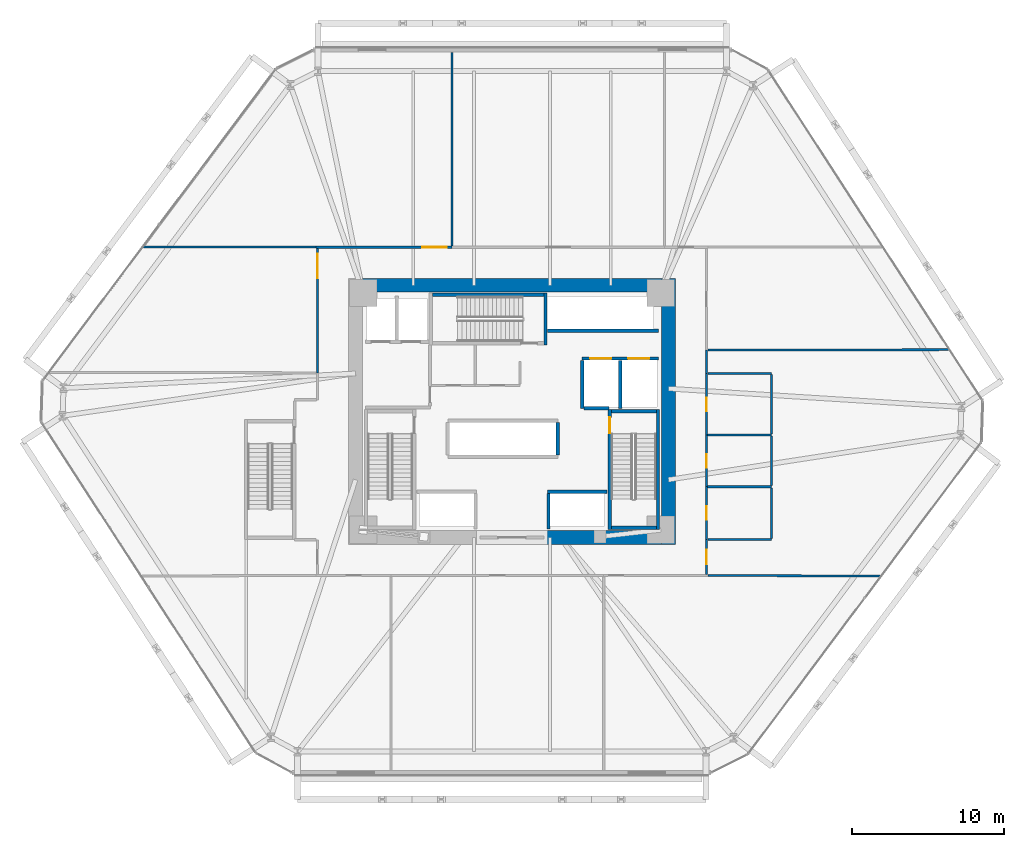
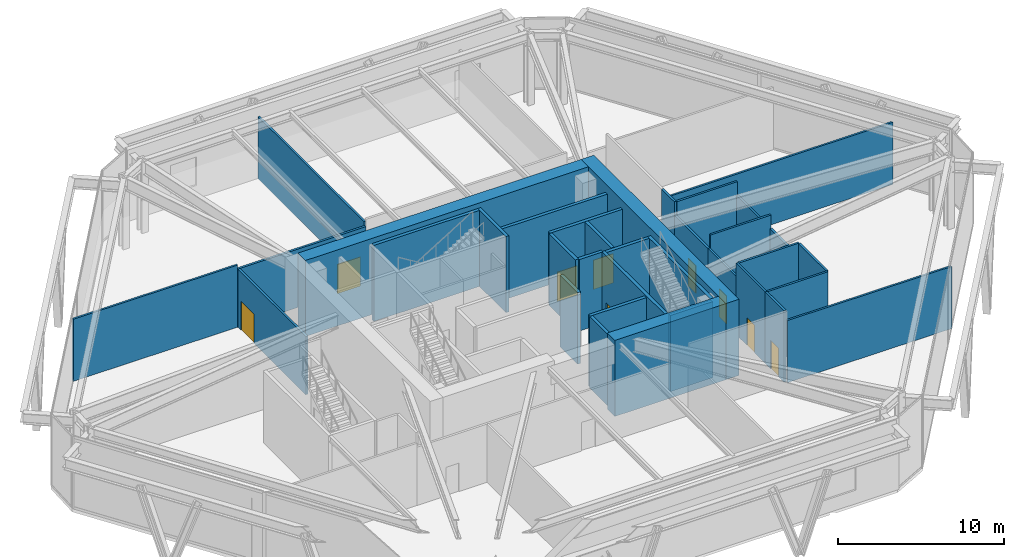
# One storey, part 15 of 19: 35 walls, 9 doors, 9 openings.
"""IFC4 building model written with IfcOpenShell, lengths in metres."""

import ifcopenshell
import ifcopenshell.guid

model = None  # the IFC model being written
_history = None  # IfcOwnerHistory: only IFC2X3 demands one
_inside = {}  # id of a spatial element -> (the spatial element, [elements in it])
_under = {}  # id of a project, library or spatial element -> (it, [spatial elements below it])
_declared = {}  # id of a project -> (the project, [libraries it declares])
_typed = {}  # id of a type object -> (the type object, [elements of that type])
_made_of = {}  # id of a material, layer set ... -> (it, [elements and type objects made of it])


def new_model(schema):
    """Start an empty IFC model of exactly this schema.

    Asked for "IFC4X3", IfcOpenShell would pick the latest addendum, in which some entities
    have other attributes; the version numbers below select the first issue.
    IFC2X3 requires an IfcOwnerHistory on every rooted entity: one is made here for all.
    """
    global model, _history
    if schema == "IFC4X3":
        model = ifcopenshell.file(schema_version=(4, 3, 0, 0))
    else:
        model = ifcopenshell.file(schema=schema)
    _inside.clear()
    _under.clear()
    _declared.clear()
    _typed.clear()
    _made_of.clear()
    _history = None
    if model.schema == "IFC2X3":
        org = make("IfcOrganization", Name="unknown")
        user = make(
            "IfcPersonAndOrganization",
            ThePerson=make("IfcPerson", FamilyName="unknown"),
            TheOrganization=org,
        )
        app = make(
            "IfcApplication",
            ApplicationDeveloper=org,
            Version="unknown",
            ApplicationFullName="unknown",
            ApplicationIdentifier="unknown",
        )
        _history = make(
            "IfcOwnerHistory",
            OwningUser=user,
            OwningApplication=app,
            ChangeAction="ADDED",
            CreationDate=0,
        )
    return model


def make(cls, **values):
    """One entity of the class cls with the attributes given. An attribute that is None is left unset."""
    return model.create_entity(
        cls, **{name: value for name, value in values.items() if value is not None}
    )


def rooted(cls, **values):
    """An entity with a GlobalId (a new one), such as an element, a storey or a relation."""
    return make(cls, GlobalId=ifcopenshell.guid.new(), OwnerHistory=_history, **values)


def si_unit(unit_type, name, prefix=None):
    """IfcSIUnit, for example si_unit("LENGTHUNIT", "METRE", prefix="MILLI")."""
    return make("IfcSIUnit", UnitType=unit_type, Prefix=prefix, Name=name)


def assignment(units):
    """IfcUnitAssignment: the units of a project."""
    return None if units is None else make("IfcUnitAssignment", Units=units)


def point(xyz):
    """IfcCartesianPoint."""
    return None if xyz is None else make("IfcCartesianPoint", Coordinates=xyz)


def direction(xyz):
    """IfcDirection."""
    return None if xyz is None else make("IfcDirection", DirectionRatios=xyz)


def frame(location, z_axis=None, x_axis=None):
    """IfcAxis2Placement3D, a coordinate frame: its origin and axes. An axis left out is left unset."""
    return make(
        "IfcAxis2Placement3D",
        Location=point(location),
        Axis=direction(z_axis),
        RefDirection=direction(x_axis),
    )


def frame_2d(location, x_axis=None):
    """IfcAxis2Placement2D, a coordinate frame in the plane: its origin and x axis."""
    return make(
        "IfcAxis2Placement2D", Location=point(location), RefDirection=direction(x_axis)
    )


def origin():
    """The frame at (0, 0, 0) with its axes left unset."""
    return frame((0.0, 0.0, 0.0))


def place(relative_to, where):
    """IfcLocalPlacement: puts the frame where relative to a parent placement (None: the world)."""
    return make(
        "IfcLocalPlacement", PlacementRelTo=relative_to, RelativePlacement=where
    )


def context(
    kind, dimensions, precision=None, world=None, true_north=None, identifier=None
):
    """IfcGeometricRepresentationContext, for example the 3D "Model" context."""
    return make(
        "IfcGeometricRepresentationContext",
        ContextIdentifier=identifier,
        ContextType=kind,
        CoordinateSpaceDimension=dimensions,
        Precision=precision,
        WorldCoordinateSystem=world,
        TrueNorth=true_north,
    )


def subcontext(parent, identifier, kind, view, scale=None):
    """IfcGeometricRepresentationSubContext, for example "Body" below "Model"."""
    return make(
        "IfcGeometricRepresentationSubContext",
        ContextIdentifier=identifier,
        ContextType=kind,
        ParentContext=parent,
        TargetScale=scale,
        TargetView=view,
    )


def project(units=None, contexts=None):
    """IfcProject with its units and contexts."""
    return rooted(
        "IfcProject",
        Name="project",
        RepresentationContexts=contexts,
        UnitsInContext=assignment(units),
    )


def spatial(cls, under=None, at=None, **own):
    """A site, building, storey or space (cls), placed at a placement, below another one or the project."""
    s = rooted(cls, ObjectPlacement=at, **own)
    if under is not None:
        _under.setdefault(under.id(), (under, []))[1].append(s)
    return s


def profile(cls, at=None, kind="AREA", **sizes):
    """A parametric profile (cls). Its sizes go by their IFC names, for example OverallWidth=200.0."""
    return make(cls, ProfileType=kind, Position=at, **sizes)


def rectangle(**sizes):
    """IfcRectangleProfileDef."""
    return profile("IfcRectangleProfileDef", **sizes)


def extrude(swept, where, along, depth):
    """IfcExtrudedAreaSolid: the profile swept, set in the frame where, extruded along a direction by depth."""
    return make(
        "IfcExtrudedAreaSolid",
        SweptArea=swept,
        Position=where,
        ExtrudedDirection=direction(along),
        Depth=depth,
    )


def shape(context_of_items, identifier, shape_type, items):
    """IfcShapeRepresentation: the items that make up one representation, for example the "Body"."""
    return make(
        "IfcShapeRepresentation",
        ContextOfItems=context_of_items,
        RepresentationIdentifier=identifier,
        RepresentationType=shape_type,
        Items=items,
    )


def source(mapping_origin, context_of_items, identifier, shape_type, items):
    """IfcRepresentationMap: a shape defined once, which mapped items show again and again."""
    return make(
        "IfcRepresentationMap",
        MappingOrigin=mapping_origin,
        MappedRepresentation=shape(context_of_items, identifier, shape_type, items),
    )


def transform(
    local_origin,
    x_axis=None,
    y_axis=None,
    z_axis=None,
    scale=None,
    scale2=None,
    scale3=None,
    uniform=True,
):
    """IfcCartesianTransformationOperator3D, or its non-uniform kind. x_axis, y_axis, z_axis: its Axis1, 2, 3."""
    if uniform:
        return make(
            "IfcCartesianTransformationOperator3D",
            Axis1=direction(x_axis),
            Axis2=direction(y_axis),
            LocalOrigin=point(local_origin),
            Scale=scale,
            Axis3=direction(z_axis),
        )
    return make(
        "IfcCartesianTransformationOperator3DnonUniform",
        Axis1=direction(x_axis),
        Axis2=direction(y_axis),
        LocalOrigin=point(local_origin),
        Scale=scale,
        Axis3=direction(z_axis),
        Scale2=scale2,
        Scale3=scale3,
    )


def mapped(mapping_source, mapping_target):
    """IfcMappedItem: shows the shape of a source again, moved by a transform."""
    return make(
        "IfcMappedItem", MappingSource=mapping_source, MappingTarget=mapping_target
    )


def material(Name=None, Category=None):
    """IfcMaterial."""
    return make("IfcMaterial", Name=Name, Category=Category)


def layer(
    of_material, thickness, ventilated=None, Name=None, Category=None, Priority=None
):
    """IfcMaterialLayer: one layer of a wall or slab, of a material (None: an air gap)."""
    return make(
        "IfcMaterialLayer",
        Material=of_material,
        LayerThickness=thickness,
        IsVentilated=ventilated,
        Name=Name,
        Category=Category,
        Priority=Priority,
    )


def layer_set(layers, Name=None):
    """IfcMaterialLayerSet."""
    return make("IfcMaterialLayerSet", MaterialLayers=layers, LayerSetName=Name)


def made_of(thing, what):
    """Note that an element or type object is made of a material, layer set ...; save() writes the relation."""
    if what is not None:
        _made_of.setdefault(what.id(), (what, []))[1].append(thing)
    return thing


def type_object(cls, material=None, **own):
    """A type object (cls), such as IfcWallType, which elements share."""
    return made_of(rooted(cls, **own), material)


def type_shapes(of_type, sources):
    """Give a type object the sources (RepresentationMaps) that its elements show as mapped items."""
    of_type.RepresentationMaps = sources


def element(
    cls,
    number,
    at=None,
    inside=None,
    cuts=None,
    type_object=None,
    material=None,
    context=None,
    identifier="Body",
    shape_type=None,
    held_by="IfcProductDefinitionShape",
    body=None,
    shapes=None,
    **own,
):
    """One element of the class cls, such as IfcWall. Its Tag is "e" and its number.

    at: its placement. inside: the storey or other place that contains it. cuts: it is an
    opening in that element (IfcRelVoidsElement). A single representation is given by context,
    identifier, shape_type and body (its items); several are given by shapes. held_by: the class
    of the entity that holds the representations. save() writes the other relations.
    """
    e = rooted(cls, Tag="e%d" % number, ObjectPlacement=at, **own)
    if body is not None:
        shapes = [shape(context, identifier, shape_type, body)]
    if shapes is not None:
        e.Representation = make(held_by, Representations=shapes)
    if inside is not None:
        _inside.setdefault(inside.id(), (inside, []))[1].append(e)
    if cuts is not None:
        rooted(
            "IfcRelVoidsElement", RelatingBuildingElement=cuts, RelatedOpeningElement=e
        )
    if type_object is not None:
        _typed.setdefault(type_object.id(), (type_object, []))[1].append(e)
    return made_of(e, material)


def fill(opening, filler):
    """IfcRelFillsElement: the door or window that sits in an opening."""
    return rooted(
        "IfcRelFillsElement",
        RelatingOpeningElement=opening,
        RelatedBuildingElement=filler,
    )


def aggregate(whole, parts):
    """IfcRelAggregates: a whole, such as a stair, and the parts it consists of."""
    return rooted("IfcRelAggregates", RelatingObject=whole, RelatedObjects=parts)


def save(model, path):
    """Write the relations noted so far, then the file.

    IfcRelAggregates (storeys below a building ...), IfcRelContainedInSpatialStructure (elements
    in a storey), IfcRelDefinesByType, IfcRelAssociatesMaterial and IfcRelDeclares: one each for
    every whole, place, type object, material and project.
    """
    for whole, parts in _under.values():
        aggregate(whole, parts)
    for where, things in _inside.values():
        rooted(
            "IfcRelContainedInSpatialStructure",
            RelatedElements=things,
            RelatingStructure=where,
        )
    for kind, things in _typed.values():
        rooted("IfcRelDefinesByType", RelatedObjects=things, RelatingType=kind)
    for what, things in _made_of.values():
        rooted("IfcRelAssociatesMaterial", RelatedObjects=things, RelatingMaterial=what)
    for by, libraries in _declared.values():
        rooted("IfcRelDeclares", RelatingContext=by, RelatedDefinitions=libraries)
    model.write(path)


model = new_model("IFC4")

# Units and contexts
model_context = context("Model", 3, precision=1e-05, world=origin(), true_north=direction((0.0, 1.0)))
body_context = subcontext(model_context, "Body", "Model", "MODEL_VIEW")
ifc_project = project(units=[si_unit("LENGTHUNIT", "METRE"), si_unit("AREAUNIT", "SQUARE_METRE"), si_unit("VOLUMEUNIT", "CUBIC_METRE"), si_unit("PLANEANGLEUNIT", "RADIAN"), si_unit("MASSUNIT", "GRAM", prefix="KILO")], contexts=[model_context])

# Site, building, storey
site_placement = place(None, origin())
site = spatial("IfcSite", under=ifc_project, at=site_placement, CompositionType="ELEMENT")
building_placement = place(site_placement, origin())
building = spatial("IfcBuilding", under=site, at=building_placement, Name="Durnholm Broadcast Tower", CompositionType="ELEMENT")
storey_placement = place(building_placement, frame((0.0, 0.0, 15.60009765625)))
storey = spatial("IfcBuildingStorey", under=building, at=storey_placement, Name="L03", CompositionType="ELEMENT", Elevation=15.60009765625)

# Walls
ifc_material_1 = material(Name="Concrete C70/85", Category="concrete")
ifc_layer_1 = layer(ifc_material_1, 0.89990234375)
ifc_layer_set_1 = layer_set([ifc_layer_1], Name="Concrete C70/85")
wall_type_1 = type_object("IfcWallType", Name="WALL-CW-900", PredefinedType="SHEAR", material=ifc_layer_set_1)
wall_1_placement = place(storey_placement, frame((10.300048828125, -8.75, 0.0), z_axis=(0.0, 0.0, 1.0), x_axis=(0.0, 1.0, 0.0)))
element("IfcWall", 1, at=wall_1_placement, inside=storey, type_object=wall_type_1, Name="L03 central core shear wall CW-EAST", PredefinedType="SHEAR", context=body_context, shape_type="SweptSolid", body=[
    extrude(rectangle(XDim=17.5, YDim=0.89990234375, at=frame_2d((8.75, 0.0))), origin(), (0.0, 0.0, 1.0), 5.599853515625),
])
wall_2_placement = place(storey_placement, frame((2.10009765625, -8.300048828125, 0.0), z_axis=(0.0, 0.0, 1.0), x_axis=(1.0, 0.0, 0.0)))
element("IfcWall", 2, at=wall_2_placement, inside=storey, type_object=wall_type_1, Name="L03 central core shear wall CW-S2", PredefinedType="SHEAR", context=body_context, shape_type="SweptSolid", body=[
    extrude(rectangle(XDim=7.75, YDim=0.89990234375, at=frame_2d((3.875, 0.0))), origin(), (0.0, 0.0, 1.0), 5.599853515625),
])
wall_3_placement = place(storey_placement, frame((-9.85009765625, 8.300048828125, 0.0), z_axis=(0.0, 0.0, 1.0), x_axis=(1.0, 0.0, 0.0)))
element("IfcWall", 3, at=wall_3_placement, inside=storey, type_object=wall_type_1, Name="L03 central core shear wall CW-N", PredefinedType="SHEAR", context=body_context, shape_type="SweptSolid", body=[
    extrude(rectangle(XDim=19.7001953125, YDim=0.89990234375, at=frame_2d((9.85009765625, 0.0))), origin(), (0.0, 0.0, 1.0), 5.599853515625),
])
ifc_material_2 = material(Name="Gypsum Metal Stud Partition", Category="concrete")
ifc_layer_2 = layer(ifc_material_2, 0.135009765625)
ifc_layer_set_2 = layer_set([ifc_layer_2], Name="Gypsum Metal Stud Partition")
wall_type_2 = type_object("IfcWallType", Name="WALL-PART-135", PredefinedType="PARTITIONING", material=ifc_layer_set_2)
wall_4_placement = place(storey_placement, frame((-3.9599609375, 23.64501953125, 0.0), z_axis=(0.0, 0.0, 1.0), x_axis=(0.0, -1.0, 0.0)))
element("IfcWall", 4, at=wall_4_placement, inside=storey, type_object=wall_type_2, Name="L03 room dividing partition 6.7", PredefinedType="PARTITIONING", context=body_context, shape_type="SweptSolid", body=[
    extrude(rectangle(XDim=12.756103515625, YDim=0.135009765625, at=frame_2d((6.3779296875, 0.0))), origin(), (0.0, 0.0, 1.0), 4.573974609375),
])
for number, where, z_axis, x_axis, name in (
    (5, (-12.889892578125, 10.810302734375, 0.0), (0.0, 0.0, 1.0), (-0.999997852069, 0.002072645121, 0.0), "L03 room dividing partition 6.13"),
    (6, (12.889892578125, -10.810302734375, 0.0), (0.0, 0.0, 1.0), (0.999997852069, -0.002072645121, 0.0), "L03 room dividing partition 11.14"),
):
    element("IfcWall", number, at=place(storey_placement, frame(where, z_axis=z_axis, x_axis=x_axis)), inside=storey, type_object=wall_type_2, Name=name, PredefinedType="PARTITIONING", context=body_context, shape_type="SweptSolid", body=[
        extrude(rectangle(XDim=11.42578125, YDim=0.135009765625, at=frame_2d((5.712890625, 0.0))), origin(), (0.0, 0.0, 1.0), 4.573974609375),
    ])
wall_5_placement = place(storey_placement, frame((12.888916015625, 4.0400390625, 0.0), z_axis=(0.0, 0.0, 1.0), x_axis=(0.999999068975, 0.001364568967, 0.0)))
element("IfcWall", 7, at=wall_5_placement, inside=storey, type_object=wall_type_2, Name="L03 room dividing partition 14.15", PredefinedType="PARTITIONING", context=body_context, shape_type="SweptSolid", body=[
    extrude(rectangle(XDim=15.92333984375, YDim=0.135009765625, at=frame_2d((7.961669921875, 0.0))), origin(), (0.0, 0.0, 1.0), 4.573974609375),
])

# Wall, opening, door
ifc_material_3 = material(Name="Acoustic Gypsum Stud Partition", Category="concrete")
ifc_layer_3 = layer(ifc_material_3, 0.14990234375)
ifc_layer_set_3 = layer_set([ifc_layer_3], Name="Acoustic Gypsum Stud Partition")
wall_type_3 = type_object("IfcWallType", Name="WALL-PART-150", PredefinedType="PARTITIONING", material=ifc_layer_set_3)
wall_6_placement = place(storey_placement, frame((-3.9599609375, 10.81005859375, 0.0), z_axis=(0.0, 0.0, 1.0), x_axis=(-1.0, 0.0, 0.0)))
wall_6 = element("IfcWall", 8, at=wall_6_placement, inside=storey, type_object=wall_type_3, Name="L03 Television Production Hall 3A corridor partition", PredefinedType="PARTITIONING", context=body_context, shape_type="SweptSolid", body=[
    extrude(rectangle(XDim=8.929931640625, YDim=0.14990234375, at=frame_2d((4.46484375, 0.0))), origin(), (0.0, 0.0, 1.0), 4.284423828125),
])
opening_1_placement = place(wall_6_placement, frame((0.35009765625, 0.0, 0.0)))
opening_1 = element("IfcOpeningElement", 9, at=opening_1_placement, cuts=wall_6, Name="Opening DST-160", PredefinedType="OPENING", context=body_context, shape_type="SweptSolid", body=[
    extrude(rectangle(XDim=1.60009765625, YDim=2.14990234375, at=frame_2d((0.800048828125, 1.074951171875))), frame((0.0, 0.0849609375, 0.0), z_axis=(0.0, -1.0, 0.0), x_axis=(1.0, 0.0, 0.0)), (0.0, 0.0, 1.0), 0.169921875),
])
ifc_material_4 = material(Name="Acoustic Broadcast Studio Sound-Lock Door", Category="steel")
ifc_layer_4 = layer(ifc_material_4, 0.050048828125)
ifc_layer_set_4 = layer_set([ifc_layer_4], Name="Acoustic Broadcast Studio Sound-Lock Door")
door_type_1 = type_object("IfcDoorType", Name="DOOR-STU-1600", OperationType="DOUBLE_DOOR_SINGLE_SWING", PredefinedType="DOOR", material=ifc_layer_set_4)
shared_shape_1 = source(origin(), body_context, "Body", "SweptSolid", [
    extrude(rectangle(XDim=1.60009765625, YDim=2.14990234375, at=frame_2d((0.800048828125, 1.074951171875))), frame((0.0, 0.02490234375, 0.0), z_axis=(0.0, -1.0, 0.0), x_axis=(1.0, 0.0, 0.0)), (0.0, 0.0, 1.0), 0.050048828125),
])
type_shapes(door_type_1, [shared_shape_1])
door_1_placement = place(opening_1_placement, origin())
door_1 = element("IfcDoor", 10, at=door_1_placement, inside=storey, type_object=door_type_1, Name="L03 Television Production Hall 3A entrance door", OperationType="DOUBLE_DOOR_SINGLE_SWING", OverallHeight=2.14990234375, OverallWidth=1.60009765625, PredefinedType="DOOR", context=body_context, shape_type="MappedRepresentation", body=[
    mapped(shared_shape_1, transform((0.0, 0.0, 0.0), x_axis=(1.0, 0.0, 0.0), y_axis=(0.0, 1.0, 0.0), z_axis=(0.0, 0.0, 1.0), scale=1.0)),
])
fill(opening_1, door_1)

wall_7_placement = place(storey_placement, frame((-12.81005859375, 10.73095703125, 0.0), z_axis=(0.0, 0.0, 1.0), x_axis=(0.0, -1.0, 0.0)))
wall_7 = element("IfcWall", 11, at=wall_7_placement, inside=storey, type_object=wall_type_3, Name="L03 Television Production Hall 3A corridor partition", PredefinedType="PARTITIONING", context=body_context, shape_type="SweptSolid", body=[
    extrude(rectangle(XDim=8.19091796875, YDim=0.14990234375, at=frame_2d((4.095458984375, 0.0))), origin(), (0.0, 0.0, 1.0), 4.284423828125),
])
opening_2_placement = place(wall_7_placement, frame((0.35009765625, 0.0, 0.0)))
opening_2 = element("IfcOpeningElement", 12, at=opening_2_placement, cuts=wall_7, Name="Opening DST-160", PredefinedType="OPENING", context=body_context, shape_type="SweptSolid", body=[
    extrude(rectangle(XDim=1.60009765625, YDim=2.14990234375, at=frame_2d((0.800048828125, 1.074951171875))), frame((0.0, 0.0849609375, 0.0), z_axis=(0.0, -1.0, 0.0), x_axis=(1.0, 0.0, 0.0)), (0.0, 0.0, 1.0), 0.169921875),
])
door_2_placement = place(opening_2_placement, origin())
door_2 = element("IfcDoor", 13, at=door_2_placement, inside=storey, type_object=door_type_1, Name="L03 Television Production Hall 3A entrance door", OperationType="DOUBLE_DOOR_SINGLE_SWING", OverallHeight=2.14990234375, OverallWidth=1.60009765625, PredefinedType="DOOR", context=body_context, shape_type="MappedRepresentation", body=[
    mapped(shared_shape_1, transform((0.0, 0.0, 0.0), x_axis=(1.0, 0.0, 0.0), y_axis=(0.0, 1.0, 0.0), z_axis=(0.0, 0.0, 1.0), scale=1.0)),
])
fill(opening_2, door_2)

wall_8_placement = place(storey_placement, frame((12.81005859375, -10.73095703125, 0.0), z_axis=(0.0, 0.0, 1.0), x_axis=(0.0, 1.0, 0.0)))
wall_8 = element("IfcWall", 14, at=wall_8_placement, inside=storey, type_object=wall_type_3, Name="L03 Broadcast Audience Auditorium 3B corridor partition", PredefinedType="PARTITIONING", context=body_context, shape_type="SweptSolid", body=[
    extrude(rectangle(XDim=2.291015625, YDim=0.14990234375, at=frame_2d((1.1455078125, 0.0))), origin(), (0.0, 0.0, 1.0), 5.264892578125),
])
opening_3_placement = place(wall_8_placement, frame((0.67041015625, 0.0, 0.0)))
opening_3 = element("IfcOpeningElement", 15, at=opening_3_placement, cuts=wall_8, Name="Opening DR-95L", PredefinedType="OPENING", context=body_context, shape_type="SweptSolid", body=[
    extrude(rectangle(XDim=0.949951171875, YDim=2.10009765625, at=frame_2d((0.47509765625, 1.050048828125))), frame((0.0, 0.0849609375, 0.0), z_axis=(0.0, -1.0, 0.0), x_axis=(1.0, 0.0, 0.0)), (0.0, 0.0, 1.0), 0.169921875),
])
ifc_material_5 = material(Name="Acoustic Oak Veneer Timber Door", Category="wood")
ifc_layer_5 = layer(ifc_material_5, 0.050048828125)
ifc_layer_set_5 = layer_set([ifc_layer_5], Name="Acoustic Oak Veneer Timber Door")
door_type_2 = type_object("IfcDoorType", Name="DOOR-RM-950L", OperationType="NOTDEFINED", PredefinedType="DOOR", material=ifc_layer_set_5)
shared_shape_2 = source(origin(), body_context, "Body", "SweptSolid", [
    extrude(rectangle(XDim=0.949951171875, YDim=2.10009765625, at=frame_2d((0.47509765625, 1.050048828125))), frame((0.0, 0.02490234375, 0.0), z_axis=(0.0, -1.0, 0.0), x_axis=(1.0, 0.0, 0.0)), (0.0, 0.0, 1.0), 0.050048828125),
])
type_shapes(door_type_2, [shared_shape_2])
door_3_placement = place(opening_3_placement, origin())
door_3 = element("IfcDoor", 16, at=door_3_placement, inside=storey, type_object=door_type_2, Name="L03 Broadcast Audience Auditorium 3B entrance door", OperationType="SINGLE_SWING_LEFT", OverallHeight=2.10009765625, OverallWidth=0.949951171875, PredefinedType="DOOR", context=body_context, shape_type="MappedRepresentation", body=[
    mapped(shared_shape_2, transform((0.0, 0.0, 0.0), x_axis=(1.0, 0.0, 0.0), y_axis=(0.0, 1.0, 0.0), z_axis=(0.0, 0.0, 1.0), scale=1.0)),
])
fill(opening_3, door_3)

# Wall
wall_9_placement = place(storey_placement, frame((12.81005859375, 2.489990234375, 0.0), z_axis=(0.0, 0.0, 1.0), x_axis=(0.0, 1.0, 0.0)))
element("IfcWall", 17, at=wall_9_placement, inside=storey, type_object=wall_type_3, Name="L03 Broadcast Audience Auditorium 3B corridor partition", PredefinedType="PARTITIONING", context=body_context, shape_type="SweptSolid", body=[
    extrude(rectangle(XDim=1.550048828125, YDim=0.14990234375, at=frame_2d((0.77490234375, 0.0))), origin(), (0.0, 0.0, 1.0), 5.264892578125),
])

# Wall, openings, doors
ifc_material_6 = material(Name="Concrete Blockwork C30/37", Category="masonry")
ifc_layer_6 = layer(ifc_material_6, 0.219970703125)
ifc_layer_set_6 = layer_set([ifc_layer_6], Name="Concrete Blockwork C30/37")
wall_type_4 = type_object("IfcWallType", Name="WALL-SHAFT-220", PredefinedType="SOLIDWALL", material=ifc_layer_set_6)
wall_10_placement = place(storey_placement, frame((4.60009765625, 3.47998046875, 0.0), z_axis=(0.0, 0.0, 1.0), x_axis=(1.0, 0.0, 0.0)))
wall_10 = element("IfcWall", 18, at=wall_10_placement, inside=storey, type_object=wall_type_4, Name="L03 freight service lifts north front wall", PredefinedType="SOLIDWALL", context=body_context, shape_type="SweptSolid", body=[
    extrude(rectangle(XDim=5.0498046875, YDim=0.219970703125, at=frame_2d((2.52490234375, 0.0))), origin(), (0.0, 0.0, 1.0), 5.264892578125),
])
opening_4_placement = place(wall_10_placement, frame((0.550048828125, 0.0, 0.0)))
opening_4 = element("IfcOpeningElement", 19, at=opening_4_placement, cuts=wall_10, Name="Opening LD-SVL-2", PredefinedType="OPENING", context=body_context, shape_type="SweptSolid", body=[
    extrude(rectangle(XDim=1.39990234375, YDim=2.14990234375, at=frame_2d((0.699951171875, 1.074951171875))), frame((0.0, 0.1201171875, 0.0), z_axis=(0.0, -1.0, 0.0), x_axis=(1.0, 0.0, 0.0)), (0.0, 0.0, 1.0), 0.239990234375),
])
opening_5_placement = place(wall_10_placement, frame((3.050048828125, 0.0, 0.0)))
opening_5 = element("IfcOpeningElement", 20, at=opening_5_placement, cuts=wall_10, Name="Opening LD-SVL-1", PredefinedType="OPENING", context=body_context, shape_type="SweptSolid", body=[
    extrude(rectangle(XDim=1.39990234375, YDim=2.14990234375, at=frame_2d((0.699951171875, 1.074951171875))), frame((0.0, 0.1201171875, 0.0), z_axis=(0.0, -1.0, 0.0), x_axis=(1.0, 0.0, 0.0)), (0.0, 0.0, 1.0), 0.239990234375),
])
ifc_material_7 = material(Name="Freight Elevator Bi-Parting Sliding Landing Door", Category="steel")
ifc_layer_7 = layer(ifc_material_7, 0.050048828125)
ifc_layer_set_7 = layer_set([ifc_layer_7], Name="Freight Elevator Bi-Parting Sliding Landing Door")
door_type_3 = type_object("IfcDoorType", Name="DOOR-LIFT-SVL", OperationType="DOUBLE_DOOR_SLIDING", PredefinedType="DOOR", material=ifc_layer_set_7)
shared_shape_3 = source(origin(), body_context, "Body", "SweptSolid", [
    extrude(rectangle(XDim=1.39990234375, YDim=2.14990234375, at=frame_2d((0.699951171875, 1.074951171875))), frame((0.0, 0.02490234375, 0.0), z_axis=(0.0, -1.0, 0.0), x_axis=(1.0, 0.0, 0.0)), (0.0, 0.0, 1.0), 0.050048828125),
])
type_shapes(door_type_3, [shared_shape_3])
door_4_placement = place(opening_4_placement, origin())
door_4 = element("IfcDoor", 21, at=door_4_placement, inside=storey, type_object=door_type_3, Name="L03 freight service elevator SVL-2 sliding landing door", OperationType="DOUBLE_DOOR_SLIDING", OverallHeight=2.14990234375, OverallWidth=1.39990234375, PredefinedType="DOOR", context=body_context, shape_type="MappedRepresentation", body=[
    mapped(shared_shape_3, transform((0.0, 0.0, 0.0), x_axis=(1.0, 0.0, 0.0), y_axis=(0.0, 1.0, 0.0), z_axis=(0.0, 0.0, 1.0), scale=1.0)),
])
fill(opening_4, door_4)
door_5_placement = place(opening_5_placement, origin())
door_5 = element("IfcDoor", 22, at=door_5_placement, inside=storey, type_object=door_type_3, Name="L03 freight service elevator SVL-1 sliding landing door", OperationType="DOUBLE_DOOR_SLIDING", OverallHeight=2.14990234375, OverallWidth=1.39990234375, PredefinedType="DOOR", context=body_context, shape_type="MappedRepresentation", body=[
    mapped(shared_shape_3, transform((0.0, 0.0, 0.0), x_axis=(1.0, 0.0, 0.0), y_axis=(0.0, 1.0, 0.0), z_axis=(0.0, 0.0, 1.0), scale=1.0)),
])
fill(opening_5, door_5)

# Walls
for number, where, z_axis, x_axis, name in (
    (23, (4.6201171875, 0.179931640625, 0.0), (0.0, 0.0, 1.0), (0.0, 1.0, 0.0), "L03 freight service lift SVL-2 west wall"),
    (24, (7.1201171875, 0.179931640625, 0.0), (0.0, 0.0, 1.0), (0.0, 1.0, 0.0), "L03 freight service lifts divider wall"),
):
    element("IfcWall", number, at=place(storey_placement, frame(where, z_axis=z_axis, x_axis=x_axis)), inside=storey, type_object=wall_type_4, Name=name, PredefinedType="SOLIDWALL", context=body_context, shape_type="SweptSolid", body=[
        extrude(rectangle(XDim=3.18603515625, YDim=0.219970703125, at=frame_2d((1.593017578125, 0.0))), origin(), (0.0, 0.0, 1.0), 5.264892578125),
    ])
wall_11_placement = place(storey_placement, frame((4.73388671875, 0.199951171875, 0.0), z_axis=(0.0, 0.0, 1.0), x_axis=(1.0, 0.0, 0.0)))
element("IfcWall", 25, at=wall_11_placement, inside=storey, type_object=wall_type_4, Name="L03 freight service lift SVL-2 south wall", PredefinedType="SOLIDWALL", context=body_context, shape_type="SweptSolid", body=[
    extrude(rectangle(XDim=1.666015625, YDim=0.219970703125, at=frame_2d((0.8330078125, 0.0))), origin(), (0.0, 0.0, 1.0), 5.264892578125),
])
wall_12_placement = place(storey_placement, frame((2.35009765625, -5.280029296875, 0.0), z_axis=(0.0, 0.0, 1.0), x_axis=(1.0, 0.0, 0.0)))
element("IfcWall", 26, at=wall_12_placement, inside=storey, type_object=wall_type_4, Name="L03 low-rise bank P1 east front wall", PredefinedType="SOLIDWALL", context=body_context, shape_type="SweptSolid", body=[
    extrude(rectangle(XDim=3.89990234375, YDim=0.219970703125, at=frame_2d((1.949951171875, 0.0))), origin(), (0.0, 0.0, 1.0), 5.264892578125),
])
wall_13_placement = place(storey_placement, frame((2.39990234375, -7.75, 0.0), z_axis=(0.0, 0.0, 1.0), x_axis=(0.0, 1.0, 0.0)))
element("IfcWall", 27, at=wall_13_placement, inside=storey, type_object=wall_type_4, Name="L03 low-rise bank P1 east mouth wall", PredefinedType="SOLIDWALL", context=body_context, shape_type="SweptSolid", body=[
    extrude(rectangle(XDim=2.35595703125, YDim=0.219970703125, at=frame_2d((1.177978515625, 0.0))), origin(), (0.0, 0.0, 1.0), 5.264892578125),
])
wall_14_placement = place(storey_placement, frame((3.02001953125, -2.865966796875, 0.0), z_axis=(0.0, 0.0, 1.0), x_axis=(0.0, 1.0, 0.0)))
element("IfcWall", 28, at=wall_14_placement, inside=storey, type_object=wall_type_4, Name="L03 mid-rise bank P2 east shaft wall", PredefinedType="SOLIDWALL", context=body_context, shape_type="SweptSolid", body=[
    extrude(rectangle(XDim=2.132080078125, YDim=0.219970703125, at=frame_2d((1.06591796875, 0.0))), origin(), (0.0, 0.0, 1.0), 5.264892578125),
])
wall_15_placement = place(storey_placement, frame((2.324951171875, 5.320068359375, 0.0), z_axis=(0.0, 0.0, 1.0), x_axis=(1.0, 0.0, 0.0)))
element("IfcWall", 29, at=wall_15_placement, inside=storey, type_object=wall_type_4, Name="L03 high-rise bank P3 south front wall", PredefinedType="SOLIDWALL", context=body_context, shape_type="SweptSolid", body=[
    extrude(rectangle(XDim=7.324951171875, YDim=0.219970703125, at=frame_2d((3.66259765625, 0.0))), origin(), (0.0, 0.0, 1.0), 5.264892578125),
])
ifc_material_8 = material(Name="Concrete C50/60", Category="concrete")
ifc_layer_8 = layer(ifc_material_8, 0.219970703125)
ifc_layer_set_8 = layer_set([ifc_layer_8], Name="Concrete C50/60")
wall_type_5 = type_object("IfcWallType", Name="WALL-SW-220", PredefinedType="SHEAR", material=ifc_layer_set_8)
wall_16_placement = place(storey_placement, frame((9.610107421875, -7.77001953125, -0.320068359375), z_axis=(0.0, 0.0, 1.0), x_axis=(0.0, 1.0, 0.0)))
element("IfcWall", 30, at=wall_16_placement, inside=storey, type_object=wall_type_5, Name="L03 stair ST-2 structural shaft wall E", PredefinedType="SHEAR", context=body_context, shape_type="SweptSolid", body=[
    extrude(rectangle(XDim=7.89013671875, YDim=0.219970703125, at=frame_2d((3.945068359375, 0.0))), origin(), (0.0, 0.0, 1.0), 5.599853515625),
])

# Wall, opening, door
wall_17_placement = place(storey_placement, frame((6.429931640625, 0.1201171875, -0.320068359375), z_axis=(0.0, 0.0, 1.0), x_axis=(0.0, -1.0, 0.0)))
wall_17 = element("IfcWall", 31, at=wall_17_placement, inside=storey, type_object=wall_type_5, Name="L03 stair ST-2 structural shaft wall W", PredefinedType="SHEAR", context=body_context, shape_type="SweptSolid", body=[
    extrude(rectangle(XDim=7.89013671875, YDim=0.219970703125, at=frame_2d((3.945068359375, 0.0))), origin(), (0.0, 0.0, 1.0), 5.599853515625),
])
opening_6_placement = place(wall_17_placement, frame((0.52001953125, 0.0, 0.0)))
opening_6 = element("IfcOpeningElement", 32, at=opening_6_placement, cuts=wall_17, Name="Opening DS-90R", PredefinedType="OPENING", context=body_context, shape_type="SweptSolid", body=[
    extrude(rectangle(XDim=1.050048828125, YDim=2.14990234375, at=frame_2d((0.52490234375, 1.074951171875))), frame((0.0, 0.1201171875, 0.0), z_axis=(0.0, -1.0, 0.0), x_axis=(1.0, 0.0, 0.0)), (0.0, 0.0, 1.0), 0.239990234375),
])
ifc_material_9 = material(Name="Fire-Rated Steel Door", Category="steel")
ifc_layer_9 = layer(ifc_material_9, 0.050048828125)
ifc_layer_set_9 = layer_set([ifc_layer_9], Name="Fire-Rated Steel Door")
door_type_4 = type_object("IfcDoorType", Name="DOOR-ST-FD90-R", OperationType="NOTDEFINED", PredefinedType="DOOR", material=ifc_layer_set_9)
shared_shape_4 = source(origin(), body_context, "Body", "SweptSolid", [
    extrude(rectangle(XDim=1.050048828125, YDim=2.14990234375, at=frame_2d((0.52490234375, 1.074951171875))), frame((0.0, 0.02490234375, 0.0), z_axis=(0.0, -1.0, 0.0), x_axis=(1.0, 0.0, 0.0)), (0.0, 0.0, 1.0), 0.050048828125),
])
type_shapes(door_type_4, [shared_shape_4])
door_6_placement = place(opening_6_placement, origin())
door_6 = element("IfcDoor", 33, at=door_6_placement, inside=storey, type_object=door_type_4, Name="L03 exit stair ST-2 fire door", OperationType="SINGLE_SWING_RIGHT", OverallHeight=2.14990234375, OverallWidth=1.050048828125, PredefinedType="DOOR", context=body_context, shape_type="MappedRepresentation", body=[
    mapped(shared_shape_4, transform((0.0, 0.0, 0.0), x_axis=(1.0, 0.0, 0.0), y_axis=(0.0, 1.0, 0.0), z_axis=(0.0, 0.0, 1.0), scale=1.0)),
])
fill(opening_6, door_6)

# Walls
for number, where, z_axis, x_axis, name in (
    (34, (6.5400390625, -7.659912109375, -0.320068359375), (0.0, 0.0, 1.0), (1.0, 0.0, 0.0), "L03 stair ST-2 structural shaft wall S"),
    (35, (9.5, 0.010009765625, -0.320068359375), (0.0, 0.0, 1.0), (-1.0, 0.0, 0.0), "L03 stair ST-2 structural shaft wall N"),
):
    element("IfcWall", number, at=place(storey_placement, frame(where, z_axis=z_axis, x_axis=x_axis)), inside=storey, type_object=wall_type_5, Name=name, PredefinedType="SHEAR", context=body_context, shape_type="SweptSolid", body=[
        extrude(rectangle(XDim=2.9599609375, YDim=0.219970703125, at=frame_2d((1.47998046875, 0.0))), origin(), (0.0, 0.0, 1.0), 5.599853515625),
    ])
wall_18_placement = place(storey_placement, frame((2.2099609375, 4.3798828125, -0.320068359375), z_axis=(0.0, 0.0, 1.0), x_axis=(0.0, 1.0, 0.0)))
element("IfcWall", 36, at=wall_18_placement, inside=storey, type_object=wall_type_5, Name="L03 stair ST-3 structural shaft wall E", PredefinedType="SHEAR", context=body_context, shape_type="SweptSolid", body=[
    extrude(rectangle(XDim=3.400146484375, YDim=0.219970703125, at=frame_2d((1.7001953125, 0.0))), origin(), (0.0, 0.0, 1.0), 5.599853515625),
])
wall_19_placement = place(storey_placement, frame((2.10009765625, 7.669921875, -0.320068359375), z_axis=(0.0, 0.0, 1.0), x_axis=(-1.0, 0.0, 0.0)))
element("IfcWall", 37, at=wall_19_placement, inside=storey, type_object=wall_type_5, Name="L03 stair ST-3 structural shaft wall N", PredefinedType="SHEAR", context=body_context, shape_type="SweptSolid", body=[
    extrude(rectangle(XDim=7.35009765625, YDim=0.219970703125, at=frame_2d((3.675048828125, 0.0))), origin(), (0.0, 0.0, 1.0), 5.599853515625),
])

# Wall, opening, door
ifc_material_10 = material(Name="Moisture-Resistant Tile Partition", Category="concrete")
ifc_layer_10 = layer(ifc_material_10, 0.139892578125)
ifc_layer_set_10 = layer_set([ifc_layer_10], Name="Moisture-Resistant Tile Partition")
wall_type_6 = type_object("IfcWallType", Name="WALL-WC-140", PredefinedType="PARTITIONING", material=ifc_layer_set_10)
wall_20_placement = place(storey_placement, frame((12.81005859375, -8.43994140625, 0.0), z_axis=(0.0, 0.0, 1.0), x_axis=(0.0, 1.0, 0.0)))
wall_20 = element("IfcWall", 38, at=wall_20_placement, inside=storey, type_object=wall_type_6, Name="L03 Men's Restroom corridor partition", PredefinedType="PARTITIONING", context=body_context, shape_type="SweptSolid", body=[
    extrude(rectangle(XDim=3.47998046875, YDim=0.139892578125, at=frame_2d((1.739990234375, 0.0))), origin(), (0.0, 0.0, 1.0), 5.264892578125),
])
opening_7_placement = place(wall_20_placement, frame((1.2900390625, 0.0, 0.0)))
opening_7 = element("IfcOpeningElement", 39, at=opening_7_placement, cuts=wall_20, Name="Opening DW-90R", PredefinedType="OPENING", context=body_context, shape_type="SweptSolid", body=[
    extrude(rectangle(XDim=0.89990234375, YDim=2.050048828125, at=frame_2d((0.449951171875, 1.02490234375))), frame((0.0, 0.080078125, 0.0), z_axis=(0.0, -1.0, 0.0), x_axis=(1.0, 0.0, 0.0)), (0.0, 0.0, 1.0), 0.159912109375),
])
ifc_material_11 = material(Name="Laminate Restroom Door", Category="steel")
ifc_layer_11 = layer(ifc_material_11, 0.050048828125)
ifc_layer_set_11 = layer_set([ifc_layer_11], Name="Laminate Restroom Door")
door_type_5 = type_object("IfcDoorType", Name="DOOR-WC-900R", OperationType="NOTDEFINED", PredefinedType="DOOR", material=ifc_layer_set_11)
shared_shape_5 = source(origin(), body_context, "Body", "SweptSolid", [
    extrude(rectangle(XDim=0.89990234375, YDim=2.050048828125, at=frame_2d((0.449951171875, 1.02490234375))), frame((0.0, 0.02490234375, 0.0), z_axis=(0.0, -1.0, 0.0), x_axis=(1.0, 0.0, 0.0)), (0.0, 0.0, 1.0), 0.050048828125),
])
type_shapes(door_type_5, [shared_shape_5])
door_7_placement = place(opening_7_placement, origin())
door_7 = element("IfcDoor", 40, at=door_7_placement, inside=storey, type_object=door_type_5, Name="L03 Men's Restroom entrance door", OperationType="SINGLE_SWING_RIGHT", OverallHeight=2.050048828125, OverallWidth=0.89990234375, PredefinedType="DOOR", context=body_context, shape_type="MappedRepresentation", body=[
    mapped(shared_shape_5, transform((0.0, 0.0, 0.0), x_axis=(1.0, 0.0, 0.0), y_axis=(0.0, 1.0, 0.0), z_axis=(0.0, 0.0, 1.0), scale=1.0)),
])
fill(opening_7, door_7)

wall_21_placement = place(storey_placement, frame((12.81005859375, -4.9599609375, 0.0), z_axis=(0.0, 0.0, 1.0), x_axis=(0.0, 1.0, 0.0)))
wall_21 = element("IfcWall", 41, at=wall_21_placement, inside=storey, type_object=wall_type_6, Name="L03 Women's Restroom corridor partition", PredefinedType="PARTITIONING", context=body_context, shape_type="SweptSolid", body=[
    extrude(rectangle(XDim=3.39990234375, YDim=0.139892578125, at=frame_2d((1.699951171875, 0.0))), origin(), (0.0, 0.0, 1.0), 4.284423828125),
])
opening_8_placement = place(wall_21_placement, frame((1.25, 0.0, 0.0)))
opening_8 = element("IfcOpeningElement", 42, at=opening_8_placement, cuts=wall_21, Name="Opening DW-90L", PredefinedType="OPENING", context=body_context, shape_type="SweptSolid", body=[
    extrude(rectangle(XDim=0.89990234375, YDim=2.050048828125, at=frame_2d((0.449951171875, 1.02490234375))), frame((0.0, 0.080078125, 0.0), z_axis=(0.0, -1.0, 0.0), x_axis=(1.0, 0.0, 0.0)), (0.0, 0.0, 1.0), 0.159912109375),
])
ifc_layer_12 = layer(ifc_material_11, 0.050048828125)
ifc_layer_set_12 = layer_set([ifc_layer_12], Name="Laminate Restroom Door")
door_type_6 = type_object("IfcDoorType", Name="DOOR-WC-900L", OperationType="NOTDEFINED", PredefinedType="DOOR", material=ifc_layer_set_12)
shared_shape_6 = source(origin(), body_context, "Body", "SweptSolid", [
    extrude(rectangle(XDim=0.89990234375, YDim=2.050048828125, at=frame_2d((0.449951171875, 1.02490234375))), frame((0.0, 0.02490234375, 0.0), z_axis=(0.0, -1.0, 0.0), x_axis=(1.0, 0.0, 0.0)), (0.0, 0.0, 1.0), 0.050048828125),
])
type_shapes(door_type_6, [shared_shape_6])
door_8_placement = place(opening_8_placement, origin())
door_8 = element("IfcDoor", 43, at=door_8_placement, inside=storey, type_object=door_type_6, Name="L03 Women's Restroom entrance door", OperationType="SINGLE_SWING_LEFT", OverallHeight=2.050048828125, OverallWidth=0.89990234375, PredefinedType="DOOR", context=body_context, shape_type="MappedRepresentation", body=[
    mapped(shared_shape_6, transform((0.0, 0.0, 0.0), x_axis=(1.0, 0.0, 0.0), y_axis=(0.0, 1.0, 0.0), z_axis=(0.0, 0.0, 1.0), scale=1.0)),
])
fill(opening_8, door_8)

wall_22_placement = place(storey_placement, frame((12.81005859375, -1.56005859375, 0.0), z_axis=(0.0, 0.0, 1.0), x_axis=(0.0, 1.0, 0.0)))
wall_22 = element("IfcWall", 44, at=wall_22_placement, inside=storey, type_object=wall_type_6, Name="L03 Accessible Restroom corridor partition", PredefinedType="PARTITIONING", context=body_context, shape_type="SweptSolid", body=[
    extrude(rectangle(XDim=4.050048828125, YDim=0.139892578125, at=frame_2d((2.02490234375, 0.0))), origin(), (0.0, 0.0, 1.0), 4.284423828125),
])
opening_9_placement = place(wall_22_placement, frame((1.574951171875, 0.0, 0.0)))
opening_9 = element("IfcOpeningElement", 45, at=opening_9_placement, cuts=wall_22, Name="Opening DW-90R", PredefinedType="OPENING", context=body_context, shape_type="SweptSolid", body=[
    extrude(rectangle(XDim=0.89990234375, YDim=2.050048828125, at=frame_2d((0.449951171875, 1.02490234375))), frame((0.0, 0.080078125, 0.0), z_axis=(0.0, -1.0, 0.0), x_axis=(1.0, 0.0, 0.0)), (0.0, 0.0, 1.0), 0.159912109375),
])
door_9_placement = place(opening_9_placement, origin())
door_9 = element("IfcDoor", 46, at=door_9_placement, inside=storey, type_object=door_type_5, Name="L03 Accessible Restroom entrance door", OperationType="SINGLE_SWING_RIGHT", OverallHeight=2.050048828125, OverallWidth=0.89990234375, PredefinedType="DOOR", context=body_context, shape_type="MappedRepresentation", body=[
    mapped(shared_shape_5, transform((0.0, 0.0, 0.0), x_axis=(1.0, 0.0, 0.0), y_axis=(0.0, 1.0, 0.0), z_axis=(0.0, 0.0, 1.0), scale=1.0)),
])
fill(opening_9, door_9)

# Walls
wall_23_placement = place(storey_placement, frame((12.884033203125, -4.9599609375, 0.0), z_axis=(0.0, 0.0, 1.0), x_axis=(1.0, 0.0, 0.0)))
element("IfcWall", 47, at=wall_23_placement, inside=storey, type_object=wall_type_6, Name="L03 room dividing partition 3.4", PredefinedType="PARTITIONING", context=body_context, shape_type="SweptSolid", body=[
    extrude(rectangle(XDim=4.2060546875, YDim=0.139892578125, at=frame_2d((2.10302734375, 0.0))), origin(), (0.0, 0.0, 1.0), 5.264892578125),
])
wall_24_placement = place(storey_placement, frame((17.090087890625, -8.43994140625, 0.0), z_axis=(0.0, 0.0, 1.0), x_axis=(-1.0, 0.0, 0.0)))
element("IfcWall", 48, at=wall_24_placement, inside=storey, type_object=wall_type_6, Name="L03 room dividing partition 3.14", PredefinedType="PARTITIONING", context=body_context, shape_type="SweptSolid", body=[
    extrude(rectangle(XDim=4.201171875, YDim=0.139892578125, at=frame_2d((2.1005859375, 0.0))), origin(), (0.0, 0.0, 1.0), 5.264892578125),
])
wall_25_placement = place(storey_placement, frame((17.090087890625, -5.033935546875, 0.0), z_axis=(0.0, 0.0, 1.0), x_axis=(0.0, -1.0, 0.0)))
element("IfcWall", 49, at=wall_25_placement, inside=storey, type_object=wall_type_6, Name="L03 room dividing partition 3.14", PredefinedType="PARTITIONING", context=body_context, shape_type="SweptSolid", body=[
    extrude(rectangle(XDim=3.33203125, YDim=0.139892578125, at=frame_2d((1.666015625, 0.0))), origin(), (0.0, 0.0, 1.0), 5.264892578125),
])
wall_26_placement = place(storey_placement, frame((12.884033203125, -1.56005859375, 0.0), z_axis=(0.0, 0.0, 1.0), x_axis=(1.0, 0.0, 0.0)))
element("IfcWall", 50, at=wall_26_placement, inside=storey, type_object=wall_type_6, Name="L03 room dividing partition 4.5", PredefinedType="PARTITIONING", context=body_context, shape_type="SweptSolid", body=[
    extrude(rectangle(XDim=4.2060546875, YDim=0.139892578125, at=frame_2d((2.10302734375, 0.0))), origin(), (0.0, 0.0, 1.0), 5.264892578125),
])
wall_27_placement = place(storey_placement, frame((17.090087890625, -1.634033203125, 0.0), z_axis=(0.0, 0.0, 1.0), x_axis=(0.0, -1.0, 0.0)))
element("IfcWall", 51, at=wall_27_placement, inside=storey, type_object=wall_type_6, Name="L03 room dividing partition 4.14", PredefinedType="PARTITIONING", context=body_context, shape_type="SweptSolid", body=[
    extrude(rectangle(XDim=3.251953125, YDim=0.139892578125, at=frame_2d((1.6259765625, 0.0))), origin(), (0.0, 0.0, 1.0), 4.284423828125),
])
wall_28_placement = place(storey_placement, frame((12.888916015625, 2.489990234375, 0.0), z_axis=(0.0, 0.0, 1.0), x_axis=(1.0, 0.0, 0.0)))
element("IfcWall", 52, at=wall_28_placement, inside=storey, type_object=wall_type_6, Name="L03 room dividing partition 5.14", PredefinedType="PARTITIONING", context=body_context, shape_type="SweptSolid", body=[
    extrude(rectangle(XDim=4.201171875, YDim=0.139892578125, at=frame_2d((2.1005859375, 0.0))), origin(), (0.0, 0.0, 1.0), 5.264892578125),
])
wall_29_placement = place(storey_placement, frame((17.090087890625, 2.416015625, 0.0), z_axis=(0.0, 0.0, 1.0), x_axis=(0.0, -1.0, 0.0)))
element("IfcWall", 53, at=wall_29_placement, inside=storey, type_object=wall_type_6, Name="L03 room dividing partition 5.14", PredefinedType="PARTITIONING", context=body_context, shape_type="SweptSolid", body=[
    extrude(rectangle(XDim=3.902099609375, YDim=0.139892578125, at=frame_2d((1.951171875, 0.0))), origin(), (0.0, 0.0, 1.0), 4.284423828125),
])

save(model, "model.ifc")
